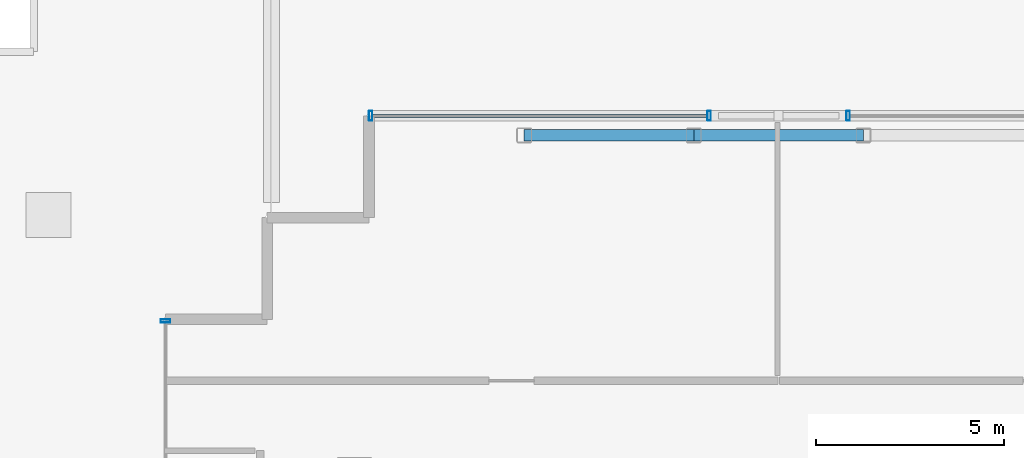
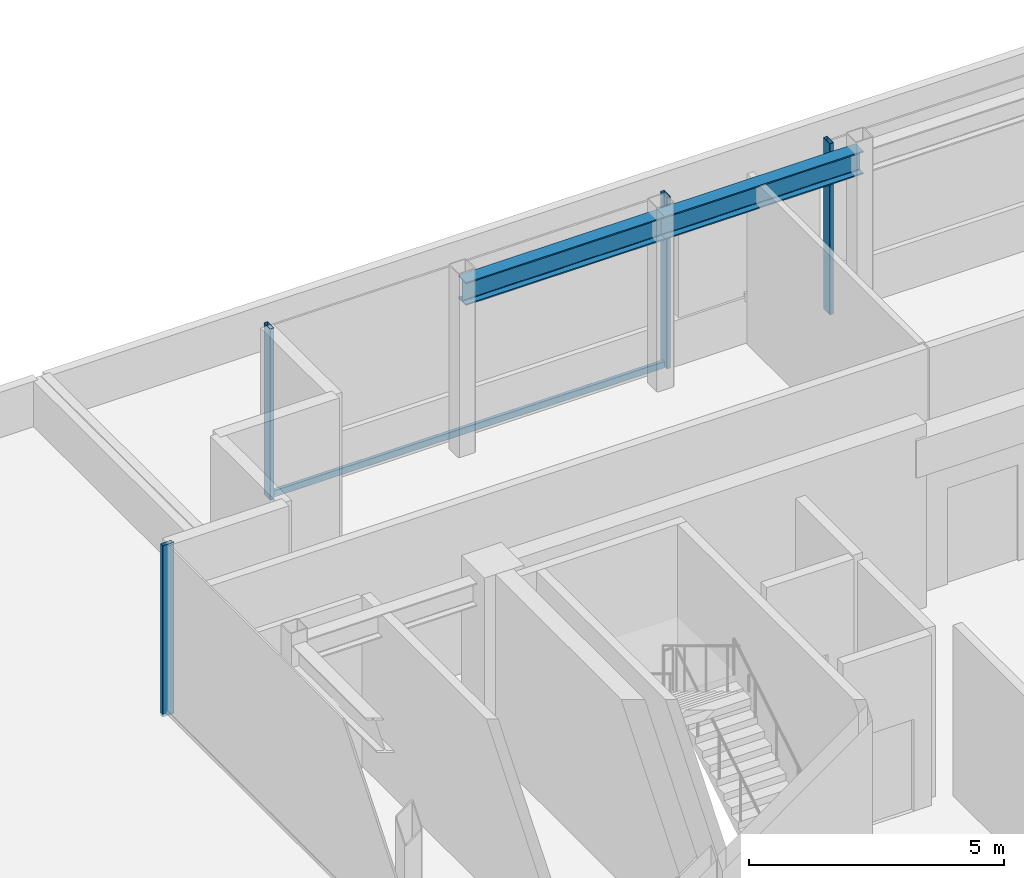
# One storey, part 6 of 14: 5 members, 2 beams, 3 elements without a shape of their own.
"""IFC4 building model written with IfcOpenShell, lengths in metres."""

from ifc_helpers import new_model, si_unit, direction, frame, origin, origin_2d, place, context, subcontext, project, spatial, hollow_rectangle, i_section, extrude, source, transform, mapped, material, layer, layer_set, material_profile, profile_set, type_object, element, aggregate, save


model = new_model("IFC4")

# Units and contexts
model_context = context("Model", 3, precision=1e-05, world=origin(), true_north=direction((0.0, 1.0)))
body_context = subcontext(model_context, "Body", "Model", "MODEL_VIEW")
ifc_project = project(units=[si_unit("LENGTHUNIT", "METRE"), si_unit("AREAUNIT", "SQUARE_METRE"), si_unit("VOLUMEUNIT", "CUBIC_METRE"), si_unit("PLANEANGLEUNIT", "RADIAN"), si_unit("MASSUNIT", "GRAM", prefix="KILO")], contexts=[model_context])

# Site, building, storey
site_placement = place(None, origin())
site = spatial("IfcSite", under=ifc_project, at=site_placement, CompositionType="ELEMENT")
building_placement = place(site_placement, origin())
building = spatial("IfcBuilding", under=site, at=building_placement, Name="Nefas-Gora Pilgrimage Tower", CompositionType="ELEMENT")
storey_placement = place(building_placement, frame((0.0, 0.0, 358.60009765625)))
storey = spatial("IfcBuildingStorey", under=building, at=storey_placement, Name="L90", CompositionType="ELEMENT", Elevation=358.60009765625)

# Beams
ifc_material_1 = material(Name="Steel S355", Category="steel")
ifc_material_profile_1 = material_profile(ifc_material_1, i_section(OverallWidth=0.300048828125, OverallDepth=0.550048828125, WebThickness=0.014892578125, FlangeThickness=0.029052734375, FilletRadius=0.027099609375, at=origin_2d()), Name="HEB 550")
ifc_profile_set_1 = profile_set([ifc_material_profile_1], Name="Steel S355")
beam_type = type_object("IfcBeamType", Name="BM-SPN-HEB400", PredefinedType="SPANDREL", material=ifc_profile_set_1)
shared_shape_1 = source(origin(), body_context, "Body", "SweptSolid", [
    extrude(i_section(OverallWidth=0.300048828125, OverallDepth=0.550048828125, WebThickness=0.014892578125, FlangeThickness=0.029052734375, FilletRadius=0.027099609375, at=origin_2d()), origin(), (0.0, 0.0, 1.0), 4.5),
])
for number, where, z_axis, x_axis, name in (
    (1, (-6.75, 18.0, 3.824951171875), (1.0, 0.0, 0.0), (0.0, 1.0, 0.0), "L90 SP-04 beam"),
    (2, (-2.25, 18.0, 3.824951171875), (1.0, 0.0, 0.0), (0.0, 1.0, 0.0), "L90 SP-04 beam"),
):
    element("IfcBeam", number, at=place(storey_placement, frame(where, z_axis=z_axis, x_axis=x_axis)), inside=storey, type_object=beam_type, Name=name, PredefinedType="SPANDREL", context=body_context, shape_type="MappedRepresentation", body=[
        mapped(shared_shape_1, transform((0.0, 0.0, 0.0), x_axis=(1.0, 0.0, 0.0), y_axis=(0.0, 1.0, 0.0), z_axis=(0.0, 0.0, 1.0), scale=1.0)),
    ])

# Curtain wall, member
ifc_material_2 = material(Name="Dark ceramic-fritted solar-control aluminium-glass curtain wall", Category="aluminium")
ifc_layer = layer(ifc_material_2, 0.219970703125)
ifc_layer_set = layer_set([ifc_layer], Name="Dark ceramic-fritted solar-control aluminium-glass curtain wall")
curtain_wall_type = type_object("IfcCurtainWallType", Name="CW-SYS-6", PredefinedType="NOTDEFINED", material=ifc_layer_set)
curtain_wall_1_placement = place(storey_placement, origin())
curtain_wall_1 = element("IfcCurtainWall", 3, at=curtain_wall_1_placement, inside=storey, type_object=curtain_wall_type, Name="L90 Unitised Curtain Wall CW6", PredefinedType="NOTDEFINED")
ifc_material_3 = material(Name="Anodised architectural aluminium", Category="aluminium")
ifc_material_profile_2 = material_profile(ifc_material_3, hollow_rectangle(XDim=0.090087890625, YDim=0.260009765625, WallThickness=0.006103515625, InnerFilletRadius=0.006103515625, OuterFilletRadius=0.011962890625, at=origin_2d()), Name="ALU MULLION 90x260")
ifc_profile_set_2 = profile_set([ifc_material_profile_2], Name="Anodised architectural aluminium")
member_type_1 = type_object("IfcMemberType", Name="CWM-MUL-6", PredefinedType="MULLION", material=ifc_profile_set_2)
shared_shape_2 = source(origin(), body_context, "Body", "SweptSolid", [
    extrude(hollow_rectangle(XDim=0.090087890625, YDim=0.260009765625, WallThickness=0.006103515625, InnerFilletRadius=0.006103515625, OuterFilletRadius=0.011962890625, at=origin_2d()), origin(), (0.0, 0.0, 1.0), 4.099853515625),
])
member_1_placement = place(storey_placement, frame((1.844970703125, 18.52001953125, 0.0), z_axis=(0.0, 0.0, 1.0), x_axis=(-1.0, 0.0, 0.0)))
member_1 = element("IfcMember", 4, at=member_1_placement, type_object=member_type_1, Name="CW6 Mullion 2", PredefinedType="MULLION", context=body_context, shape_type="MappedRepresentation", body=[
    mapped(shared_shape_2, transform((0.0, 0.0, 0.0), x_axis=(1.0, 0.0, 0.0), y_axis=(0.0, 1.0, 0.0), z_axis=(0.0, 0.0, 1.0), scale=1.0)),
])
aggregate(curtain_wall_1, [member_1])

# Curtain wall, members
curtain_wall_2_placement = place(storey_placement, origin())
curtain_wall_2 = element("IfcCurtainWall", 5, at=curtain_wall_2_placement, inside=storey, type_object=curtain_wall_type, Name="L90 Unitised Curtain Wall CW6", PredefinedType="NOTDEFINED")
member_2_placement = place(storey_placement, frame((-1.844970703125, 18.52001953125, 0.0), z_axis=(0.0, 0.0, 1.0), x_axis=(-1.0, 0.0, 0.0)))
member_2 = element("IfcMember", 6, at=member_2_placement, type_object=member_type_1, Name="CW6 Mullion 1", PredefinedType="MULLION", context=body_context, shape_type="MappedRepresentation", body=[
    mapped(shared_shape_2, transform((0.0, 0.0, 0.0), x_axis=(1.0, 0.0, 0.0), y_axis=(0.0, 1.0, 0.0), z_axis=(0.0, 0.0, 1.0), scale=1.0)),
])
member_3_placement = place(storey_placement, frame((-10.824951171875, 18.52001953125, 0.0), z_axis=(0.0, 0.0, 1.0), x_axis=(-1.0, 0.0, 0.0)))
member_3 = element("IfcMember", 7, at=member_3_placement, type_object=member_type_1, Name="CW6 Mullion 2", PredefinedType="MULLION", context=body_context, shape_type="MappedRepresentation", body=[
    mapped(shared_shape_2, transform((0.0, 0.0, 0.0), x_axis=(1.0, 0.0, 0.0), y_axis=(0.0, 1.0, 0.0), z_axis=(0.0, 0.0, 1.0), scale=1.0)),
])

# Curtain wall, member
curtain_wall_3_placement = place(storey_placement, origin())
curtain_wall_3 = element("IfcCurtainWall", 8, at=curtain_wall_3_placement, inside=storey, type_object=curtain_wall_type, Name="L90 Unitised Curtain Wall CW6", PredefinedType="NOTDEFINED")
member_4_placement = place(storey_placement, frame((-16.27001953125, 13.074951171875, 0.0), z_axis=(0.0, 0.0, 1.0), x_axis=(0.0, -1.0, 0.0)))
member_4 = element("IfcMember", 9, at=member_4_placement, type_object=member_type_1, Name="CW6 Mullion 1", PredefinedType="MULLION", context=body_context, shape_type="MappedRepresentation", body=[
    mapped(shared_shape_2, transform((0.0, 0.0, 0.0), x_axis=(1.0, 0.0, 0.0), y_axis=(0.0, 1.0, 0.0), z_axis=(0.0, 0.0, 1.0), scale=1.0)),
])
aggregate(curtain_wall_3, [member_4])

# Member
ifc_material_profile_3 = material_profile(ifc_material_3, hollow_rectangle(XDim=0.080078125, YDim=0.159912109375, WallThickness=0.00439453125, InnerFilletRadius=0.00439453125, OuterFilletRadius=0.009033203125, at=origin_2d()), Name="ALU TRANSOM 80x160")
ifc_profile_set_3 = profile_set([ifc_material_profile_3], Name="Anodised architectural aluminium")
member_type_2 = type_object("IfcMemberType", Name="CWM-TRN-6", PredefinedType="USERDEFINED", material=ifc_profile_set_3)
shared_shape_3 = source(origin(), body_context, "Body", "SweptSolid", [
    extrude(hollow_rectangle(XDim=0.080078125, YDim=0.159912109375, WallThickness=0.00439453125, InnerFilletRadius=0.00439453125, OuterFilletRadius=0.009033203125, at=origin_2d()), origin(), (0.0, 0.0, 1.0), 8.89013671875),
])
member_5_placement = place(storey_placement, frame((-1.889892578125, 18.52001953125, 0.0498046875), z_axis=(-1.0, 0.0, 0.0), x_axis=(0.0, -1.0, 0.0)))
member_5 = element("IfcMember", 10, at=member_5_placement, type_object=member_type_2, Name="CW6 Spandrel Transom", ObjectType="TRANSOM", PredefinedType="USERDEFINED", context=body_context, shape_type="MappedRepresentation", body=[
    mapped(shared_shape_3, transform((0.0, 0.0, 0.0), x_axis=(1.0, 0.0, 0.0), y_axis=(0.0, 1.0, 0.0), z_axis=(0.0, 0.0, 1.0), scale=1.0)),
])

aggregate(curtain_wall_2, [member_2, member_3, member_5])

save(model, "model.ifc")
